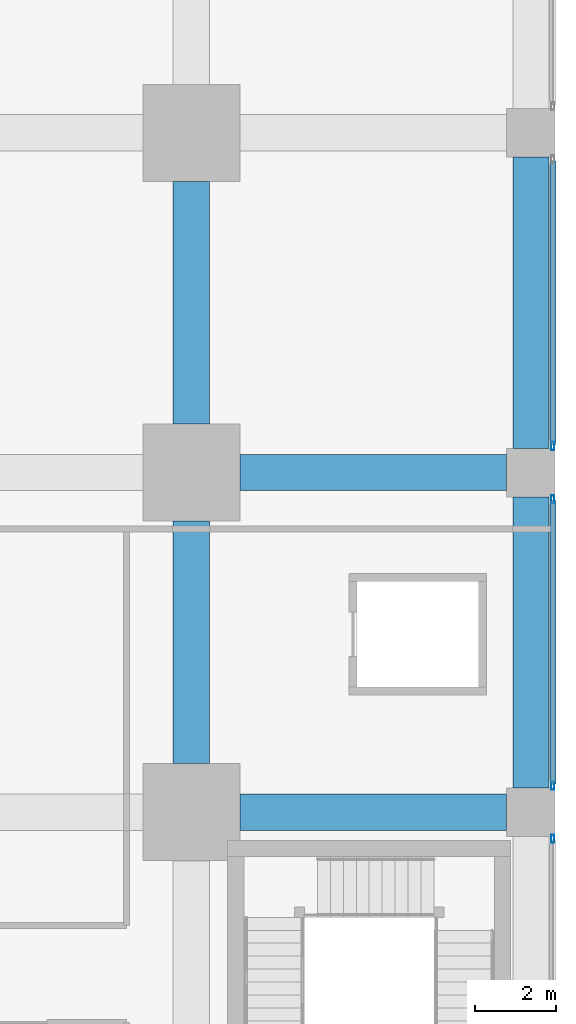
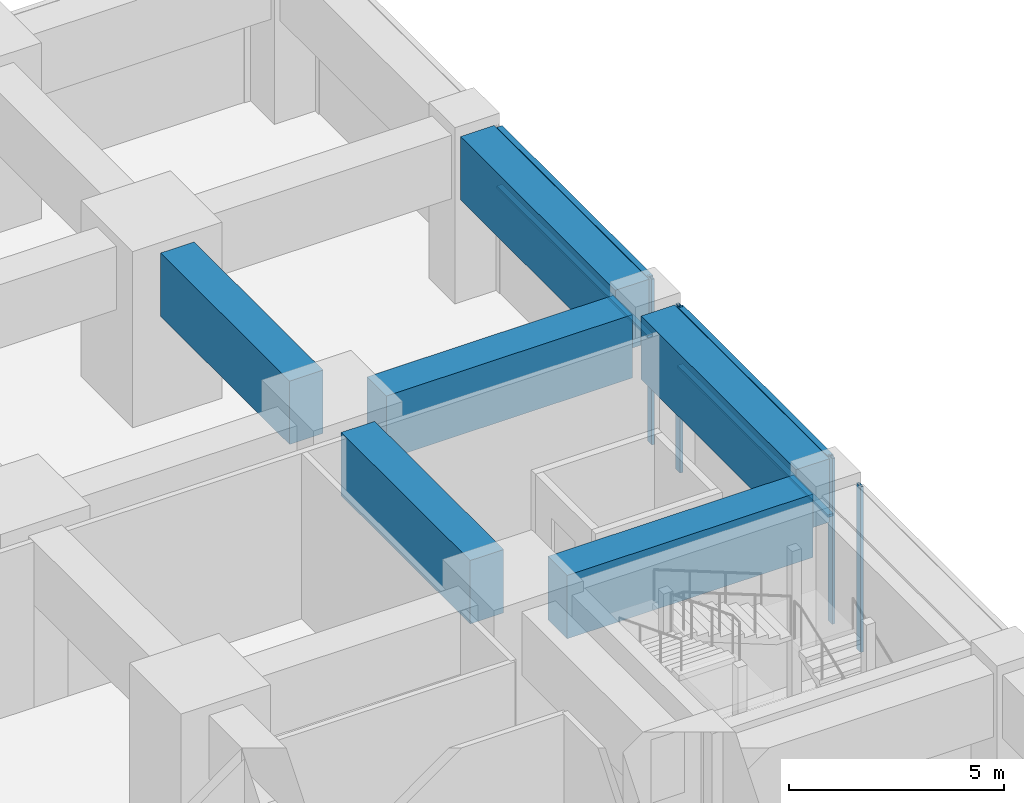
# One storey, part 32 of 49: 8 members, 6 beams, 3 elements without a shape of their own.
"""IFC4 building model written with IfcOpenShell, lengths in metres."""

from ifc_helpers import new_model, si_unit, direction, frame, origin, origin_2d, place, context, subcontext, project, spatial, rectangle, hollow_rectangle, extrude, material, material_profile, profile_set, type_object, element, aggregate, save


model = new_model("IFC4")

# Units and contexts
model_context = context("Model", 3, precision=1e-05, world=origin(), true_north=direction((0.0, 1.0)))
body_context = subcontext(model_context, "Body", "Model", "MODEL_VIEW")
ifc_project = project(units=[si_unit("LENGTHUNIT", "METRE"), si_unit("AREAUNIT", "SQUARE_METRE"), si_unit("VOLUMEUNIT", "CUBIC_METRE"), si_unit("PLANEANGLEUNIT", "RADIAN"), si_unit("MASSUNIT", "GRAM", prefix="KILO")], contexts=[model_context])

# Site, building, storey
site_placement = place(None, origin())
site = spatial("IfcSite", under=ifc_project, at=site_placement, CompositionType="ELEMENT")
building_placement = place(site_placement, origin())
building = spatial("IfcBuilding", under=site, at=building_placement, Name="Rekha Terrace Tower", CompositionType="ELEMENT")
storey_placement = place(building_placement, frame((0.0, 0.0, 5.39990234375)))
storey = spatial("IfcBuildingStorey", under=building, at=storey_placement, Name="L01", CompositionType="ELEMENT", Elevation=5.39990234375)

# Curtain wall, member
ifc_material_1 = material(Name="Aluminium framing", Category="aluminium")
curtain_wall_type = type_object("IfcCurtainWallType", Name="CW4 podium shopfront glazing", PredefinedType="USERDEFINED", material=ifc_material_1)
curtain_wall_1_placement = place(storey_placement, origin())
curtain_wall_1 = element("IfcCurtainWall", 1, at=curtain_wall_1_placement, inside=storey, type_object=curtain_wall_type, Name="CW4 shopfront curtain wall", ObjectType="SHOPFRONT CURTAIN WALL", PredefinedType="USERDEFINED")
ifc_material_2 = material(Name="Aluminium mullion section", Category="aluminium")
ifc_material_profile_1 = material_profile(ifc_material_2, hollow_rectangle(XDim=0.074951171875, YDim=0.199951171875, WallThickness=0.00390625, at=origin_2d()), Name="AL RHS 75x200")
ifc_profile_set_1 = profile_set([ifc_material_profile_1], Name="Aluminium mullion section")
member_type_1 = type_object("IfcMemberType", Name="CW4 mullion RHS 75 x 200", PredefinedType="MULLION", material=ifc_profile_set_1)
member_1_placement = place(storey_placement, frame((76.139892578125, 32.9423828125, 0.0), z_axis=(0.0, 0.0, 1.0), x_axis=(-1.0, 0.0, 0.0)))
member_1 = element("IfcMember", 2, at=member_1_placement, type_object=member_type_1, Name="CW4 mullion 2", PredefinedType="MULLION", context=body_context, shape_type="SweptSolid", body=[
    extrude(hollow_rectangle(XDim=0.074951171875, YDim=0.199951171875, WallThickness=0.00390625, at=origin_2d()), origin(), (0.0, 0.0, 1.0), 4.7001953125),
])
aggregate(curtain_wall_1, [member_1])

# Curtain wall, members
curtain_wall_2_placement = place(storey_placement, origin())
curtain_wall_2 = element("IfcCurtainWall", 3, at=curtain_wall_2_placement, inside=storey, type_object=curtain_wall_type, Name="CW4 shopfront curtain wall", ObjectType="SHOPFRONT CURTAIN WALL", PredefinedType="USERDEFINED")
member_2_placement = place(storey_placement, frame((76.139892578125, 34.257568359375, 0.0), z_axis=(0.0, 0.0, 1.0), x_axis=(-1.0, 0.0, 0.0)))
member_2 = element("IfcMember", 4, at=member_2_placement, type_object=member_type_1, Name="CW4 mullion 1", PredefinedType="MULLION", context=body_context, shape_type="SweptSolid", body=[
    extrude(hollow_rectangle(XDim=0.074951171875, YDim=0.199951171875, WallThickness=0.00390625, at=origin_2d()), origin(), (0.0, 0.0, 1.0), 4.7001953125),
])
member_3_placement = place(storey_placement, frame((76.139892578125, 41.342529296875, 0.0), z_axis=(0.0, 0.0, 1.0), x_axis=(-1.0, 0.0, 0.0)))
member_3 = element("IfcMember", 5, at=member_3_placement, type_object=member_type_1, Name="CW4 mullion 2", PredefinedType="MULLION", context=body_context, shape_type="SweptSolid", body=[
    extrude(hollow_rectangle(XDim=0.074951171875, YDim=0.199951171875, WallThickness=0.00390625, at=origin_2d()), origin(), (0.0, 0.0, 1.0), 4.7001953125),
])

# Curtain wall, member
curtain_wall_3_placement = place(storey_placement, origin())
curtain_wall_3 = element("IfcCurtainWall", 6, at=curtain_wall_3_placement, inside=storey, type_object=curtain_wall_type, Name="CW4 shopfront curtain wall", ObjectType="SHOPFRONT CURTAIN WALL", PredefinedType="USERDEFINED")
member_4_placement = place(storey_placement, frame((76.139892578125, 42.657470703125, 0.0), z_axis=(0.0, 0.0, 1.0), x_axis=(-1.0, 0.0, 0.0)))
member_4 = element("IfcMember", 7, at=member_4_placement, type_object=member_type_1, Name="CW4 mullion 1", PredefinedType="MULLION", context=body_context, shape_type="SweptSolid", body=[
    extrude(hollow_rectangle(XDim=0.074951171875, YDim=0.199951171875, WallThickness=0.00390625, at=origin_2d()), origin(), (0.0, 0.0, 1.0), 4.7001953125),
])

# Member
ifc_material_3 = material(Name="Aluminium transom section", Category="aluminium")
ifc_material_profile_2 = material_profile(ifc_material_3, hollow_rectangle(XDim=0.14990234375, YDim=0.074951171875, WallThickness=0.0029296875, at=origin_2d()), Name="AL RHS 150x75")
ifc_profile_set_2 = profile_set([ifc_material_profile_2], Name="Aluminium transom section")
member_type_2 = type_object("IfcMemberType", Name="CW4 transom RHS 75 x 150", PredefinedType="USERDEFINED", material=ifc_profile_set_2)
member_5_placement = place(storey_placement, frame((76.139892578125, 34.294921875, 3.0), z_axis=(0.0, 1.0, 0.0), x_axis=(-1.0, 0.0, 0.0)))
member_5 = element("IfcMember", 8, at=member_5_placement, type_object=member_type_2, Name="CW4 transom 1.2", ObjectType="TRANSOM", PredefinedType="USERDEFINED", context=body_context, shape_type="SweptSolid", body=[
    extrude(hollow_rectangle(XDim=0.14990234375, YDim=0.074951171875, WallThickness=0.0029296875, at=origin_2d()), origin(), (0.0, 0.0, 1.0), 7.010009765625),
])

member_6_placement = place(storey_placement, frame((76.139892578125, 34.294921875, 4.66259765625), z_axis=(0.0, 1.0, 0.0), x_axis=(-1.0, 0.0, 0.0)))
member_6 = element("IfcMember", 9, at=member_6_placement, type_object=member_type_2, Name="CW4 transom 1.3", ObjectType="TRANSOM", PredefinedType="USERDEFINED", context=body_context, shape_type="SweptSolid", body=[
    extrude(hollow_rectangle(XDim=0.14990234375, YDim=0.074951171875, WallThickness=0.0029296875, at=origin_2d()), origin(), (0.0, 0.0, 1.0), 7.010009765625),
])

aggregate(curtain_wall_2, [member_2, member_3, member_5, member_6])

member_7_placement = place(storey_placement, frame((76.139892578125, 42.695068359375, 3.0), z_axis=(0.0, 1.0, 0.0), x_axis=(-1.0, 0.0, 0.0)))
member_7 = element("IfcMember", 10, at=member_7_placement, type_object=member_type_2, Name="CW4 transom 1.2", ObjectType="TRANSOM", PredefinedType="USERDEFINED", context=body_context, shape_type="SweptSolid", body=[
    extrude(hollow_rectangle(XDim=0.14990234375, YDim=0.074951171875, WallThickness=0.0029296875, at=origin_2d()), origin(), (0.0, 0.0, 1.0), 7.010009765625),
])

member_8_placement = place(storey_placement, frame((76.139892578125, 42.695068359375, 4.66259765625), z_axis=(0.0, 1.0, 0.0), x_axis=(-1.0, 0.0, 0.0)))
member_8 = element("IfcMember", 11, at=member_8_placement, type_object=member_type_2, Name="CW4 transom 1.3", ObjectType="TRANSOM", PredefinedType="USERDEFINED", context=body_context, shape_type="SweptSolid", body=[
    extrude(hollow_rectangle(XDim=0.14990234375, YDim=0.074951171875, WallThickness=0.0029296875, at=origin_2d()), origin(), (0.0, 0.0, 1.0), 7.010009765625),
])

aggregate(curtain_wall_3, [member_4, member_7, member_8])

# Beams
ifc_material_4 = material(Name="Concrete M60", Category="concrete")
ifc_material_profile_3 = material_profile(ifc_material_4, rectangle(XDim=0.89990234375, YDim=1.800048828125, at=origin_2d()), Name="RC 900x1800")
ifc_profile_set_3 = profile_set([ifc_material_profile_3], Name="Concrete M60")
beam_type = type_object("IfcBeamType", Name="G1 900x1800 podium floor beam", PredefinedType="BEAM", material=ifc_profile_set_3)
beam_1_placement = place(storey_placement, frame((68.39990234375, 33.60009765625, 3.800048828125), z_axis=(1.0, 0.0, 0.0), x_axis=(0.0, 1.0, 0.0)))
element("IfcBeam", 12, at=beam_1_placement, inside=storey, type_object=beam_type, Name="Beam G1 9E-10E under L02", PredefinedType="BEAM", context=body_context, shape_type="SweptSolid", body=[
    extrude(rectangle(XDim=0.89990234375, YDim=1.800048828125, at=origin_2d()), origin(), (0.0, 0.0, 1.0), 6.60009765625),
])
beam_2_placement = place(storey_placement, frame((67.199951171875, 34.800048828125, 3.800048828125), z_axis=(0.0, 1.0, 0.0), x_axis=(-1.0, 0.0, 0.0)))
element("IfcBeam", 13, at=beam_2_placement, inside=storey, type_object=beam_type, Name="Beam G1 9E-9F under L02", PredefinedType="BEAM", context=body_context, shape_type="SweptSolid", body=[
    extrude(rectangle(XDim=0.89990234375, YDim=1.800048828125, at=origin_2d()), origin(), (0.0, 0.0, 1.0), 6.0),
])
beam_3_placement = place(storey_placement, frame((68.39990234375, 42.0, 3.800048828125), z_axis=(1.0, 0.0, 0.0), x_axis=(0.0, 1.0, 0.0)))
element("IfcBeam", 14, at=beam_3_placement, inside=storey, type_object=beam_type, Name="Beam G1 9F-10F under L02", PredefinedType="BEAM", context=body_context, shape_type="SweptSolid", body=[
    extrude(rectangle(XDim=0.89990234375, YDim=1.800048828125, at=origin_2d()), origin(), (0.0, 0.0, 1.0), 6.60009765625),
])
beam_4_placement = place(storey_placement, frame((67.199951171875, 43.199951171875, 3.800048828125), z_axis=(0.0, 1.0, 0.0), x_axis=(-1.0, 0.0, 0.0)))
element("IfcBeam", 15, at=beam_4_placement, inside=storey, type_object=beam_type, Name="Beam G1 9F-9G under L02", PredefinedType="BEAM", context=body_context, shape_type="SweptSolid", body=[
    extrude(rectangle(XDim=0.89990234375, YDim=1.800048828125, at=origin_2d()), origin(), (0.0, 0.0, 1.0), 6.0),
])
for number, where, z_axis, x_axis, name in (
    (16, (75.60009765625, 34.199951171875, 3.800048828125), (0.0, 1.0, 0.0), (-1.0, 0.0, 0.0), "Beam G1 10E-10F under L02"),
    (17, (75.60009765625, 42.60009765625, 3.800048828125), (0.0, 1.0, 0.0), (-1.0, 0.0, 0.0), "Beam G1 10F-10G under L02"),
):
    element("IfcBeam", number, at=place(storey_placement, frame(where, z_axis=z_axis, x_axis=x_axis)), inside=storey, type_object=beam_type, Name=name, PredefinedType="BEAM", context=body_context, shape_type="SweptSolid", body=[
        extrude(rectangle(XDim=0.89990234375, YDim=1.800048828125, at=origin_2d()), origin(), (0.0, 0.0, 1.0), 7.199951171875),
    ])

save(model, "model.ifc")
